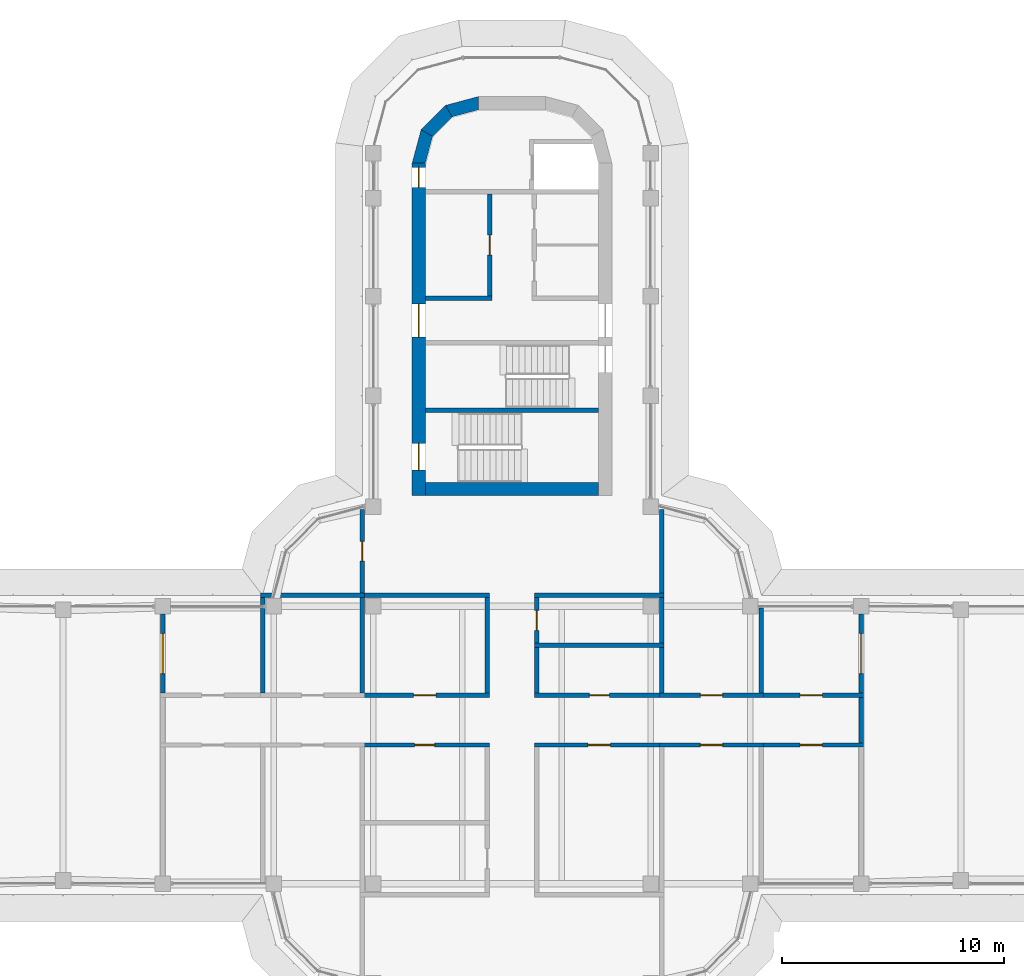
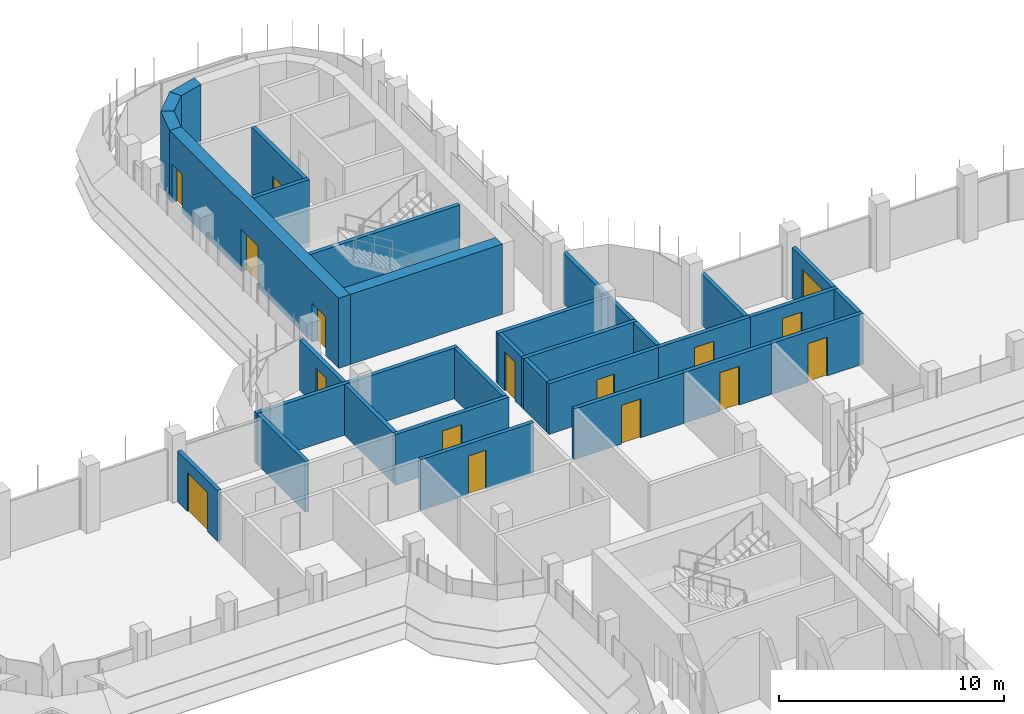
# One storey, part 14 of 18: 33 walls, 16 doors, 16 openings.
"""IFC4 building model written with IfcOpenShell, lengths in metres."""

from ifc_helpers import new_model, si_unit, direction, frame, frame_2d, origin, place, context, subcontext, project, spatial, polyline, rectangle, outline, extrude, material, layer, layer_set, type_object, element, fill, save


model = new_model("IFC4")

# Units and contexts
model_context = context("Model", 3, precision=1e-05, world=origin(), true_north=direction((0.0, 1.0)))
body_context = subcontext(model_context, "Body", "Model", "MODEL_VIEW")
ifc_project = project(units=[si_unit("LENGTHUNIT", "METRE"), si_unit("AREAUNIT", "SQUARE_METRE"), si_unit("VOLUMEUNIT", "CUBIC_METRE"), si_unit("PLANEANGLEUNIT", "RADIAN"), si_unit("MASSUNIT", "GRAM", prefix="KILO")], contexts=[model_context])

# Site, building, storey
site_placement = place(None, origin())
site = spatial("IfcSite", under=ifc_project, at=site_placement, CompositionType="ELEMENT")
building_placement = place(site_placement, origin())
building = spatial("IfcBuilding", under=site, at=building_placement, Name="Zarbagh Exchange Tower", CompositionType="ELEMENT")
storey_placement = place(building_placement, frame((0.0, 0.0, 206.800048828125)))
storey = spatial("IfcBuildingStorey", under=building, at=storey_placement, Name="L50", CompositionType="ELEMENT", Elevation=206.800048828125)

# Wall, opening, door
ifc_material_1 = material(Name="Fire-rated plasterboard partition")
ifc_layer_1 = layer(ifc_material_1, 0.199951171875)
ifc_layer_set_1 = layer_set([ifc_layer_1], Name="RATED PARTITION 200")
wall_type_1 = type_object("IfcWallType", Name="RATED PARTITION 200", PredefinedType="PARTITIONING", material=ifc_layer_set_1)
wall_1_placement = place(storey_placement, frame((1.02490234375, 2.25, 0.0), z_axis=(0.0, 0.0, 1.0), x_axis=(1.0, 0.0, 0.0)))
wall_1 = element("IfcWall", 1, at=wall_1_placement, inside=storey, type_object=wall_type_1, Name="Partition W-2201", PredefinedType="PARTITIONING", context=body_context, shape_type="SweptSolid", body=[
    extrude(rectangle(XDim=5.8251953125, YDim=0.199951171875, at=frame_2d((2.91259765625, 0.0))), origin(), (0.0, 0.0, 1.0), 2.75),
])
opening_1_placement = place(wall_1_placement, frame((2.46240234375, 0.0, 0.0)))
opening_1 = element("IfcOpeningElement", 2, at=opening_1_placement, cuts=wall_1, Name="Opening D-2205", PredefinedType="OPENING", context=body_context, shape_type="SweptSolid", body=[
    extrude(rectangle(XDim=0.89990234375, YDim=2.10009765625, at=frame_2d((0.449951171875, 1.050048828125))), frame((0.0, 0.10986328125, 0.0), z_axis=(0.0, -1.0, 0.0), x_axis=(1.0, 0.0, 0.0)), (0.0, 0.0, 1.0), 0.219970703125),
])
ifc_material_2 = material(Name="Timber door leaf", Category="wood")
door_type_1 = type_object("IfcDoorType", Name="DOOR 900 X 2100", OperationType="NOTDEFINED", PredefinedType="DOOR", material=ifc_material_2)
door_1_placement = place(opening_1_placement, origin())
door_1 = element("IfcDoor", 3, at=door_1_placement, inside=storey, type_object=door_type_1, Name="Door D-2205", OperationType="SINGLE_SWING_RIGHT", OverallHeight=2.10009765625, OverallWidth=0.89990234375, PredefinedType="DOOR", context=body_context, shape_type="SweptSolid", body=[
    extrude(rectangle(XDim=0.89990234375, YDim=2.10009765625, at=frame_2d((0.449951171875, 1.050048828125))), frame((0.0, 0.02490234375, 0.0), z_axis=(0.0, -1.0, 0.0), x_axis=(1.0, 0.0, 0.0)), (0.0, 0.0, 1.0), 0.050048828125),
])
fill(opening_1, door_1)

wall_2_placement = place(storey_placement, frame((6.64990234375, 2.25, 0.0), z_axis=(0.0, 0.0, 1.0), x_axis=(1.0, 0.0, 0.0)))
wall_2 = element("IfcWall", 4, at=wall_2_placement, inside=storey, type_object=wall_type_1, Name="Partition W-2202", PredefinedType="PARTITIONING", context=body_context, shape_type="SweptSolid", body=[
    extrude(rectangle(XDim=4.7001953125, YDim=0.199951171875, at=frame_2d((2.35009765625, 0.0))), origin(), (0.0, 0.0, 1.0), 2.75),
])
opening_2_placement = place(wall_2_placement, frame((1.85009765625, 0.0, 0.0)))
opening_2 = element("IfcOpeningElement", 5, at=opening_2_placement, cuts=wall_2, Name="Opening D-2207", PredefinedType="OPENING", context=body_context, shape_type="SweptSolid", body=[
    extrude(rectangle(XDim=1.0, YDim=2.10009765625, at=frame_2d((0.5, 1.050048828125))), frame((0.0, 0.10986328125, 0.0), z_axis=(0.0, -1.0, 0.0), x_axis=(1.0, 0.0, 0.0)), (0.0, 0.0, 1.0), 0.219970703125),
])
ifc_material_3 = material(Name="Steel door set", Category="steel")
door_type_2 = type_object("IfcDoorType", Name="FIRE DOOR 1000 X 2100 FD30S", OperationType="NOTDEFINED", PredefinedType="DOOR", material=ifc_material_3)
door_2_placement = place(opening_2_placement, origin())
door_2 = element("IfcDoor", 6, at=door_2_placement, inside=storey, type_object=door_type_2, Name="Door D-2207", OperationType="SINGLE_SWING_RIGHT", OverallHeight=2.10009765625, OverallWidth=1.0, PredefinedType="DOOR", context=body_context, shape_type="SweptSolid", body=[
    extrude(rectangle(XDim=1.0, YDim=2.10009765625, at=frame_2d((0.5, 1.050048828125))), frame((0.0, 0.02490234375, 0.0), z_axis=(0.0, -1.0, 0.0), x_axis=(1.0, 0.0, 0.0)), (0.0, 0.0, 1.0), 0.050048828125),
])
fill(opening_2, door_2)

wall_3_placement = place(storey_placement, frame((-6.85009765625, 2.25, 0.0), z_axis=(0.0, 0.0, 1.0), x_axis=(1.0, 0.0, 0.0)))
wall_3 = element("IfcWall", 7, at=wall_3_placement, inside=storey, type_object=wall_type_1, Name="Partition W-2203", PredefinedType="PARTITIONING", context=body_context, shape_type="SweptSolid", body=[
    extrude(rectangle(XDim=5.8251953125, YDim=0.199951171875, at=frame_2d((2.91259765625, 0.0))), origin(), (0.0, 0.0, 1.0), 2.75),
])
opening_3_placement = place(wall_3_placement, frame((2.41259765625, 0.0, 0.0)))
opening_3 = element("IfcOpeningElement", 8, at=opening_3_placement, cuts=wall_3, Name="Opening D-2208", PredefinedType="OPENING", context=body_context, shape_type="SweptSolid", body=[
    extrude(rectangle(XDim=1.0, YDim=2.10009765625, at=frame_2d((0.5, 1.050048828125))), frame((0.0, 0.10986328125, 0.0), z_axis=(0.0, -1.0, 0.0), x_axis=(1.0, 0.0, 0.0)), (0.0, 0.0, 1.0), 0.219970703125),
])
door_3_placement = place(opening_3_placement, origin())
door_3 = element("IfcDoor", 9, at=door_3_placement, inside=storey, type_object=door_type_2, Name="Door D-2208", OperationType="SINGLE_SWING_RIGHT", OverallHeight=2.10009765625, OverallWidth=1.0, PredefinedType="DOOR", context=body_context, shape_type="SweptSolid", body=[
    extrude(rectangle(XDim=1.0, YDim=2.10009765625, at=frame_2d((0.5, 1.050048828125))), frame((0.0, 0.02490234375, 0.0), z_axis=(0.0, -1.0, 0.0), x_axis=(1.0, 0.0, 0.0)), (0.0, 0.0, 1.0), 0.050048828125),
])
fill(opening_3, door_3)

wall_4_placement = place(storey_placement, frame((6.85009765625, 0.0, 0.0), z_axis=(0.0, 0.0, 1.0), x_axis=(-1.0, 0.0, 0.0)))
wall_4 = element("IfcWall", 10, at=wall_4_placement, inside=storey, type_object=wall_type_1, Name="Partition W-2205", PredefinedType="PARTITIONING", context=body_context, shape_type="SweptSolid", body=[
    extrude(rectangle(XDim=5.8251953125, YDim=0.199951171875, at=frame_2d((2.91259765625, 0.0))), origin(), (0.0, 0.0, 1.0), 2.75),
])
opening_4_placement = place(wall_4_placement, frame((2.41259765625, 0.0, 0.0)))
opening_4 = element("IfcOpeningElement", 11, at=opening_4_placement, cuts=wall_4, Name="Opening D-2211", PredefinedType="OPENING", context=body_context, shape_type="SweptSolid", body=[
    extrude(rectangle(XDim=1.0, YDim=2.10009765625, at=frame_2d((0.5, 1.050048828125))), frame((0.0, 0.10986328125, 0.0), z_axis=(0.0, -1.0, 0.0), x_axis=(1.0, 0.0, 0.0)), (0.0, 0.0, 1.0), 0.219970703125),
])
door_4_placement = place(opening_4_placement, origin())
door_4 = element("IfcDoor", 12, at=door_4_placement, inside=storey, type_object=door_type_2, Name="Door D-2211", OperationType="SINGLE_SWING_RIGHT", OverallHeight=2.10009765625, OverallWidth=1.0, PredefinedType="DOOR", context=body_context, shape_type="SweptSolid", body=[
    extrude(rectangle(XDim=1.0, YDim=2.10009765625, at=frame_2d((0.5, 1.050048828125))), frame((0.0, 0.02490234375, 0.0), z_axis=(0.0, -1.0, 0.0), x_axis=(1.0, 0.0, 0.0)), (0.0, 0.0, 1.0), 0.050048828125),
])
fill(opening_4, door_4)

wall_5_placement = place(storey_placement, frame((11.35009765625, 0.0, 0.0), z_axis=(0.0, 0.0, 1.0), x_axis=(-1.0, 0.0, 0.0)))
wall_5 = element("IfcWall", 13, at=wall_5_placement, inside=storey, type_object=wall_type_1, Name="Partition W-2206", PredefinedType="PARTITIONING", context=body_context, shape_type="SweptSolid", body=[
    extrude(rectangle(XDim=4.7001953125, YDim=0.199951171875, at=frame_2d((2.35009765625, 0.0))), origin(), (0.0, 0.0, 1.0), 2.75),
])
opening_5_placement = place(wall_5_placement, frame((1.85009765625, 0.0, 0.0)))
opening_5 = element("IfcOpeningElement", 14, at=opening_5_placement, cuts=wall_5, Name="Opening D-2212", PredefinedType="OPENING", context=body_context, shape_type="SweptSolid", body=[
    extrude(rectangle(XDim=1.0, YDim=2.10009765625, at=frame_2d((0.5, 1.050048828125))), frame((0.0, 0.10986328125, 0.0), z_axis=(0.0, -1.0, 0.0), x_axis=(1.0, 0.0, 0.0)), (0.0, 0.0, 1.0), 0.219970703125),
])
door_5_placement = place(opening_5_placement, origin())
door_5 = element("IfcDoor", 15, at=door_5_placement, inside=storey, type_object=door_type_2, Name="Door D-2212", OperationType="SINGLE_SWING_RIGHT", OverallHeight=2.10009765625, OverallWidth=1.0, PredefinedType="DOOR", context=body_context, shape_type="SweptSolid", body=[
    extrude(rectangle(XDim=1.0, YDim=2.10009765625, at=frame_2d((0.5, 1.050048828125))), frame((0.0, 0.02490234375, 0.0), z_axis=(0.0, -1.0, 0.0), x_axis=(1.0, 0.0, 0.0)), (0.0, 0.0, 1.0), 0.050048828125),
])
fill(opening_5, door_5)

wall_6_placement = place(storey_placement, frame((-1.02490234375, 0.0, 0.0), z_axis=(0.0, 0.0, 1.0), x_axis=(-1.0, 0.0, 0.0)))
wall_6 = element("IfcWall", 16, at=wall_6_placement, inside=storey, type_object=wall_type_1, Name="Partition W-2207", PredefinedType="PARTITIONING", context=body_context, shape_type="SweptSolid", body=[
    extrude(rectangle(XDim=5.8251953125, YDim=0.199951171875, at=frame_2d((2.91259765625, 0.0))), origin(), (0.0, 0.0, 1.0), 2.75),
])
opening_6_placement = place(wall_6_placement, frame((2.46240234375, 0.0, 0.0)))
opening_6 = element("IfcOpeningElement", 17, at=opening_6_placement, cuts=wall_6, Name="Opening D-2213", PredefinedType="OPENING", context=body_context, shape_type="SweptSolid", body=[
    extrude(rectangle(XDim=0.89990234375, YDim=2.10009765625, at=frame_2d((0.449951171875, 1.050048828125))), frame((0.0, 0.10986328125, 0.0), z_axis=(0.0, -1.0, 0.0), x_axis=(1.0, 0.0, 0.0)), (0.0, 0.0, 1.0), 0.219970703125),
])
door_6_placement = place(opening_6_placement, origin())
door_6 = element("IfcDoor", 18, at=door_6_placement, inside=storey, type_object=door_type_1, Name="Door D-2213", OperationType="SINGLE_SWING_RIGHT", OverallHeight=2.10009765625, OverallWidth=0.89990234375, PredefinedType="DOOR", context=body_context, shape_type="SweptSolid", body=[
    extrude(rectangle(XDim=0.89990234375, YDim=2.10009765625, at=frame_2d((0.449951171875, 1.050048828125))), frame((0.0, 0.02490234375, 0.0), z_axis=(0.0, -1.0, 0.0), x_axis=(1.0, 0.0, 0.0)), (0.0, 0.0, 1.0), 0.050048828125),
])
fill(opening_6, door_6)

wall_7_placement = place(storey_placement, frame((11.14990234375, 2.25, 0.0), z_axis=(0.0, 0.0, 1.0), x_axis=(1.0, 0.0, 0.0)))
wall_7 = element("IfcWall", 19, at=wall_7_placement, inside=storey, type_object=wall_type_1, Name="Partition W-2209", PredefinedType="PARTITIONING", context=body_context, shape_type="SweptSolid", body=[
    extrude(rectangle(XDim=4.7001953125, YDim=0.199951171875, at=frame_2d((2.35009765625, 0.0))), origin(), (0.0, 0.0, 1.0), 2.75),
])
opening_7_placement = place(wall_7_placement, frame((1.85009765625, 0.0, 0.0)))
opening_7 = element("IfcOpeningElement", 20, at=opening_7_placement, cuts=wall_7, Name="Opening D-2203", PredefinedType="OPENING", context=body_context, shape_type="SweptSolid", body=[
    extrude(rectangle(XDim=1.0, YDim=2.10009765625, at=frame_2d((0.5, 1.050048828125))), frame((0.0, 0.10986328125, 0.0), z_axis=(0.0, -1.0, 0.0), x_axis=(1.0, 0.0, 0.0)), (0.0, 0.0, 1.0), 0.219970703125),
])
door_7_placement = place(opening_7_placement, origin())
door_7 = element("IfcDoor", 21, at=door_7_placement, inside=storey, type_object=door_type_2, Name="Door D-2203", OperationType="SINGLE_SWING_RIGHT", OverallHeight=2.10009765625, OverallWidth=1.0, PredefinedType="DOOR", context=body_context, shape_type="SweptSolid", body=[
    extrude(rectangle(XDim=1.0, YDim=2.10009765625, at=frame_2d((0.5, 1.050048828125))), frame((0.0, 0.02490234375, 0.0), z_axis=(0.0, -1.0, 0.0), x_axis=(1.0, 0.0, 0.0)), (0.0, 0.0, 1.0), 0.050048828125),
])
fill(opening_7, door_7)

wall_8_placement = place(storey_placement, frame((15.85009765625, 0.0, 0.0), z_axis=(0.0, 0.0, 1.0), x_axis=(-1.0, 0.0, 0.0)))
wall_8 = element("IfcWall", 22, at=wall_8_placement, inside=storey, type_object=wall_type_1, Name="Partition W-2210", PredefinedType="PARTITIONING", context=body_context, shape_type="SweptSolid", body=[
    extrude(rectangle(XDim=4.7001953125, YDim=0.199951171875, at=frame_2d((2.35009765625, 0.0))), origin(), (0.0, 0.0, 1.0), 2.75),
])
opening_8_placement = place(wall_8_placement, frame((1.85009765625, 0.0, 0.0)))
opening_8 = element("IfcOpeningElement", 23, at=opening_8_placement, cuts=wall_8, Name="Opening D-2204", PredefinedType="OPENING", context=body_context, shape_type="SweptSolid", body=[
    extrude(rectangle(XDim=1.0, YDim=2.10009765625, at=frame_2d((0.5, 1.050048828125))), frame((0.0, 0.10986328125, 0.0), z_axis=(0.0, -1.0, 0.0), x_axis=(1.0, 0.0, 0.0)), (0.0, 0.0, 1.0), 0.219970703125),
])
door_8_placement = place(opening_8_placement, origin())
door_8 = element("IfcDoor", 24, at=door_8_placement, inside=storey, type_object=door_type_2, Name="Door D-2204", OperationType="SINGLE_SWING_RIGHT", OverallHeight=2.10009765625, OverallWidth=1.0, PredefinedType="DOOR", context=body_context, shape_type="SweptSolid", body=[
    extrude(rectangle(XDim=1.0, YDim=2.10009765625, at=frame_2d((0.5, 1.050048828125))), frame((0.0, 0.02490234375, 0.0), z_axis=(0.0, -1.0, 0.0), x_axis=(1.0, 0.0, 0.0)), (0.0, 0.0, 1.0), 0.050048828125),
])
fill(opening_8, door_8)

# Walls
for number, where, z_axis, x_axis, name in (
    (25, (15.75, 0.10009765625, 0.0), (0.0, 0.0, 1.0), (0.0, 1.0, 0.0), "Partition W-2211"),
    (26, (1.125, 2.35009765625, 0.0), (0.0, 0.0, 1.0), (0.0, 1.0, 0.0), "Partition W-2215"),
):
    element("IfcWall", number, at=place(storey_placement, frame(where, z_axis=z_axis, x_axis=x_axis)), inside=storey, type_object=wall_type_1, Name=name, PredefinedType="PARTITIONING", context=body_context, shape_type="SweptSolid", body=[
        extrude(rectangle(XDim=2.0498046875, YDim=0.199951171875, at=frame_2d((1.02490234375, 0.0))), origin(), (0.0, 0.0, 1.0), 2.75),
    ])

# Wall, opening, door
wall_9_placement = place(storey_placement, frame((1.125, 6.64990234375, 0.0), z_axis=(0.0, 0.0, 1.0), x_axis=(0.0, -1.0, 0.0)))
wall_9 = element("IfcWall", 27, at=wall_9_placement, inside=storey, type_object=wall_type_1, Name="Partition W-2216", PredefinedType="PARTITIONING", context=body_context, shape_type="SweptSolid", body=[
    extrude(rectangle(XDim=2.0498046875, YDim=0.199951171875, at=frame_2d((1.02490234375, 0.0))), origin(), (0.0, 0.0, 1.0), 2.75),
])
opening_9_placement = place(wall_9_placement, frame((0.574951171875, 0.0, 0.0)))
opening_9 = element("IfcOpeningElement", 28, at=opening_9_placement, cuts=wall_9, Name="Opening D-2206", PredefinedType="OPENING", context=body_context, shape_type="SweptSolid", body=[
    extrude(rectangle(XDim=0.89990234375, YDim=2.10009765625, at=frame_2d((0.449951171875, 1.050048828125))), frame((0.0, 0.10986328125, 0.0), z_axis=(0.0, -1.0, 0.0), x_axis=(1.0, 0.0, 0.0)), (0.0, 0.0, 1.0), 0.219970703125),
])
door_9_placement = place(opening_9_placement, origin())
door_9 = element("IfcDoor", 29, at=door_9_placement, inside=storey, type_object=door_type_1, Name="Door D-2206", OperationType="SINGLE_SWING_RIGHT", OverallHeight=2.10009765625, OverallWidth=0.89990234375, PredefinedType="DOOR", context=body_context, shape_type="SweptSolid", body=[
    extrude(rectangle(XDim=0.89990234375, YDim=2.10009765625, at=frame_2d((0.449951171875, 1.050048828125))), frame((0.0, 0.02490234375, 0.0), z_axis=(0.0, -1.0, 0.0), x_axis=(1.0, 0.0, 0.0)), (0.0, 0.0, 1.0), 0.050048828125),
])
fill(opening_9, door_9)

# Walls
wall_10_placement = place(storey_placement, frame((-1.125, 2.35009765625, 0.0), z_axis=(0.0, 0.0, 1.0), x_axis=(0.0, 1.0, 0.0)))
element("IfcWall", 30, at=wall_10_placement, inside=storey, type_object=wall_type_1, Name="Partition W-2217", PredefinedType="PARTITIONING", context=body_context, shape_type="SweptSolid", body=[
    extrude(rectangle(XDim=4.2998046875, YDim=0.199951171875, at=frame_2d((2.14990234375, 0.0))), origin(), (0.0, 0.0, 1.0), 2.75),
])
wall_11_placement = place(storey_placement, frame((1.02490234375, 6.75, 0.0), z_axis=(0.0, 0.0, 1.0), x_axis=(1.0, 0.0, 0.0)))
element("IfcWall", 31, at=wall_11_placement, inside=storey, type_object=wall_type_1, Name="Partition W-2221", PredefinedType="PARTITIONING", context=body_context, shape_type="SweptSolid", body=[
    extrude(rectangle(XDim=5.8251953125, YDim=0.199951171875, at=frame_2d((2.91259765625, 0.0))), origin(), (0.0, 0.0, 1.0), 2.75),
])
wall_12_placement = place(storey_placement, frame((6.75, 6.85009765625, 0.0), z_axis=(0.0, 0.0, 1.0), x_axis=(0.0, 1.0, 0.0)))
element("IfcWall", 32, at=wall_12_placement, inside=storey, type_object=wall_type_1, Name="Partition W-2222", PredefinedType="PARTITIONING", context=body_context, shape_type="SweptSolid", body=[
    extrude(rectangle(XDim=3.77978515625, YDim=0.199951171875, at=frame_2d((1.889892578125, 0.0))), origin(), (0.0, 0.0, 1.0), 2.75),
])
wall_13_placement = place(storey_placement, frame((-6.85009765625, 6.75, 0.0), z_axis=(0.0, 0.0, 1.0), x_axis=(1.0, 0.0, 0.0)))
element("IfcWall", 33, at=wall_13_placement, inside=storey, type_object=wall_type_1, Name="Partition W-2223", PredefinedType="PARTITIONING", context=body_context, shape_type="SweptSolid", body=[
    extrude(rectangle(XDim=5.8251953125, YDim=0.199951171875, at=frame_2d((2.91259765625, 0.0))), origin(), (0.0, 0.0, 1.0), 2.75),
])

# Wall, opening, door
wall_14_placement = place(storey_placement, frame((-6.75, 6.85009765625, 0.0), z_axis=(0.0, 0.0, 1.0), x_axis=(0.0, 1.0, 0.0)))
wall_14 = element("IfcWall", 34, at=wall_14_placement, inside=storey, type_object=wall_type_1, Name="Partition W-2224", PredefinedType="PARTITIONING", context=body_context, shape_type="SweptSolid", body=[
    extrude(rectangle(XDim=3.77978515625, YDim=0.199951171875, at=frame_2d((1.889892578125, 0.0))), origin(), (0.0, 0.0, 1.0), 2.75),
])
opening_10_placement = place(wall_14_placement, frame((1.43994140625, 0.0, 0.0)))
opening_10 = element("IfcOpeningElement", 35, at=opening_10_placement, cuts=wall_14, Name="Opening D-2210", PredefinedType="OPENING", context=body_context, shape_type="SweptSolid", body=[
    extrude(rectangle(XDim=0.89990234375, YDim=2.10009765625, at=frame_2d((0.449951171875, 1.050048828125))), frame((0.0, 0.10986328125, 0.0), z_axis=(0.0, -1.0, 0.0), x_axis=(1.0, 0.0, 0.0)), (0.0, 0.0, 1.0), 0.219970703125),
])
door_10_placement = place(opening_10_placement, origin())
door_10 = element("IfcDoor", 36, at=door_10_placement, inside=storey, type_object=door_type_1, Name="Door D-2210", OperationType="SINGLE_SWING_LEFT", OverallHeight=2.10009765625, OverallWidth=0.89990234375, PredefinedType="DOOR", context=body_context, shape_type="SweptSolid", body=[
    extrude(rectangle(XDim=0.89990234375, YDim=2.10009765625, at=frame_2d((0.449951171875, 1.050048828125))), frame((0.0, 0.02490234375, 0.0), z_axis=(0.0, -1.0, 0.0), x_axis=(1.0, 0.0, 0.0)), (0.0, 0.0, 1.0), 0.050048828125),
])
fill(opening_10, door_10)

# Walls
wall_15_placement = place(storey_placement, frame((1.02490234375, 4.5, 0.0), z_axis=(0.0, 0.0, 1.0), x_axis=(1.0, 0.0, 0.0)))
element("IfcWall", 37, at=wall_15_placement, inside=storey, type_object=wall_type_1, Name="Partition W-2229", PredefinedType="PARTITIONING", context=body_context, shape_type="SweptSolid", body=[
    extrude(rectangle(XDim=5.8251953125, YDim=0.199951171875, at=frame_2d((2.91259765625, 0.0))), origin(), (0.0, 0.0, 1.0), 2.75),
])
for number, where, z_axis, x_axis, name in (
    (38, (6.75, 2.35009765625, 0.0), (0.0, 0.0, 1.0), (0.0, 1.0, 0.0), "Partition W-2230"),
    (39, (6.75, 4.60009765625, 0.0), (0.0, 0.0, 1.0), (0.0, 1.0, 0.0), "Partition W-2231"),
):
    element("IfcWall", number, at=place(storey_placement, frame(where, z_axis=z_axis, x_axis=x_axis)), inside=storey, type_object=wall_type_1, Name=name, PredefinedType="PARTITIONING", context=body_context, shape_type="SweptSolid", body=[
        extrude(rectangle(XDim=2.0498046875, YDim=0.199951171875, at=frame_2d((1.02490234375, 0.0))), origin(), (0.0, 0.0, 1.0), 2.75),
    ])
wall_16_placement = place(storey_placement, frame((11.25, 2.35009765625, 0.0), z_axis=(0.0, 0.0, 1.0), x_axis=(0.0, 1.0, 0.0)))
element("IfcWall", 40, at=wall_16_placement, inside=storey, type_object=wall_type_1, Name="Partition W-2232", PredefinedType="PARTITIONING", context=body_context, shape_type="SweptSolid", body=[
    extrude(rectangle(XDim=3.81982421875, YDim=0.199951171875, at=frame_2d((1.909912109375, 0.0))), origin(), (0.0, 0.0, 1.0), 2.75),
])
wall_17_placement = place(storey_placement, frame((-6.75, 2.35009765625, 0.0), z_axis=(0.0, 0.0, 1.0), x_axis=(0.0, 1.0, 0.0)))
element("IfcWall", 41, at=wall_17_placement, inside=storey, type_object=wall_type_1, Name="Partition W-2233", PredefinedType="PARTITIONING", context=body_context, shape_type="SweptSolid", body=[
    extrude(rectangle(XDim=4.2998046875, YDim=0.199951171875, at=frame_2d((2.14990234375, 0.0))), origin(), (0.0, 0.0, 1.0), 2.75),
])
wall_18_placement = place(storey_placement, frame((-11.35009765625, 6.75, 0.0), z_axis=(0.0, 0.0, 1.0), x_axis=(1.0, 0.0, 0.0)))
element("IfcWall", 42, at=wall_18_placement, inside=storey, type_object=wall_type_1, Name="Partition W-2234", PredefinedType="PARTITIONING", context=body_context, shape_type="SweptSolid", body=[
    extrude(rectangle(XDim=4.7001953125, YDim=0.199951171875, at=frame_2d((2.35009765625, 0.0))), origin(), (0.0, 0.0, 1.0), 2.75),
])
wall_19_placement = place(storey_placement, frame((-11.25, 2.35009765625, 0.0), z_axis=(0.0, 0.0, 1.0), x_axis=(0.0, 1.0, 0.0)))
element("IfcWall", 43, at=wall_19_placement, inside=storey, type_object=wall_type_1, Name="Partition W-2235", PredefinedType="PARTITIONING", context=body_context, shape_type="SweptSolid", body=[
    extrude(rectangle(XDim=4.2998046875, YDim=0.199951171875, at=frame_2d((2.14990234375, 0.0))), origin(), (0.0, 0.0, 1.0), 2.75),
])

# Wall, opening, door
wall_20_placement = place(storey_placement, frame((15.75, 5.89990234375, 0.0), z_axis=(0.0, 0.0, 1.0), x_axis=(0.0, -1.0, 0.0)))
wall_20 = element("IfcWall", 44, at=wall_20_placement, inside=storey, type_object=wall_type_1, Name="Partition W-2242", PredefinedType="PARTITIONING", context=body_context, shape_type="SweptSolid", body=[
    extrude(rectangle(XDim=3.5498046875, YDim=0.199951171875, at=frame_2d((1.77490234375, 0.0))), origin(), (0.0, 0.0, 1.0), 2.75),
])
opening_11_placement = place(wall_20_placement, frame((0.875, 0.0, 0.0)))
opening_11 = element("IfcOpeningElement", 45, at=opening_11_placement, cuts=wall_20, Name="Opening D-2202", PredefinedType="OPENING", context=body_context, shape_type="SweptSolid", body=[
    extrude(rectangle(XDim=1.800048828125, YDim=2.10009765625, at=frame_2d((0.89990234375, 1.050048828125))), frame((0.0, 0.10986328125, 0.0), z_axis=(0.0, -1.0, 0.0), x_axis=(1.0, 0.0, 0.0)), (0.0, 0.0, 1.0), 0.219970703125),
])
door_type_3 = type_object("IfcDoorType", Name="FIRE DOUBLE DOOR 1800 X 2100 FD30S", OperationType="DOUBLE_DOOR_SINGLE_SWING", PredefinedType="DOOR", material=ifc_material_3)
door_11_placement = place(opening_11_placement, origin())
door_11 = element("IfcDoor", 46, at=door_11_placement, inside=storey, type_object=door_type_3, Name="Door D-2202", OperationType="DOUBLE_DOOR_SINGLE_SWING", OverallHeight=2.10009765625, OverallWidth=1.800048828125, PredefinedType="DOOR", context=body_context, shape_type="SweptSolid", body=[
    extrude(rectangle(XDim=1.800048828125, YDim=2.10009765625, at=frame_2d((0.89990234375, 1.050048828125))), frame((0.0, 0.02490234375, 0.0), z_axis=(0.0, -1.0, 0.0), x_axis=(1.0, 0.0, 0.0)), (0.0, 0.0, 1.0), 0.050048828125),
])
fill(opening_11, door_11)

wall_21_placement = place(storey_placement, frame((-15.75, 2.35009765625, 0.0), z_axis=(0.0, 0.0, 1.0), x_axis=(0.0, 1.0, 0.0)))
wall_21 = element("IfcWall", 47, at=wall_21_placement, inside=storey, type_object=wall_type_1, Name="Partition W-2245", PredefinedType="PARTITIONING", context=body_context, shape_type="SweptSolid", body=[
    extrude(rectangle(XDim=3.5498046875, YDim=0.199951171875, at=frame_2d((1.77490234375, 0.0))), origin(), (0.0, 0.0, 1.0), 2.75),
])
opening_12_placement = place(wall_21_placement, frame((0.875, 0.0, 0.0)))
opening_12 = element("IfcOpeningElement", 48, at=opening_12_placement, cuts=wall_21, Name="Opening D-2216", PredefinedType="OPENING", context=body_context, shape_type="SweptSolid", body=[
    extrude(rectangle(XDim=1.800048828125, YDim=2.10009765625, at=frame_2d((0.89990234375, 1.050048828125))), frame((0.0, 0.10986328125, 0.0), z_axis=(0.0, -1.0, 0.0), x_axis=(1.0, 0.0, 0.0)), (0.0, 0.0, 1.0), 0.219970703125),
])
door_12_placement = place(opening_12_placement, origin())
door_12 = element("IfcDoor", 49, at=door_12_placement, inside=storey, type_object=door_type_3, Name="Door D-2216", OperationType="DOUBLE_DOOR_SINGLE_SWING", OverallHeight=2.10009765625, OverallWidth=1.800048828125, PredefinedType="DOOR", context=body_context, shape_type="SweptSolid", body=[
    extrude(rectangle(XDim=1.800048828125, YDim=2.10009765625, at=frame_2d((0.89990234375, 1.050048828125))), frame((0.0, 0.02490234375, 0.0), z_axis=(0.0, -1.0, 0.0), x_axis=(1.0, 0.0, 0.0)), (0.0, 0.0, 1.0), 0.050048828125),
])
fill(opening_12, door_12)

# Walls
ifc_material_4 = material(Name="Concrete C50/60", Category="concrete")
ifc_layer_2 = layer(ifc_material_4, 0.60009765625)
ifc_layer_set_2 = layer_set([ifc_layer_2], Name="RC core corner wall 600 C50/60")
wall_type_2 = type_object("IfcWallType", Name="RC core corner wall 600 C50/60", PredefinedType="SHEAR", material=ifc_layer_set_2)
wall_22_placement = place(storey_placement, origin())
element("IfcWall", 50, at=wall_22_placement, inside=storey, type_object=wall_type_2, Name="CW8 core N corner W", PredefinedType="SHEAR", context=body_context, shape_type="SweptSolid", body=[
    extrude(outline(polyline([(-4.5, 26.25), (-4.09814453125, 27.75), (-3.57861328125, 27.449951171875), (-3.89990234375, 26.25), (-4.5, 26.25)])), origin(), (0.0, 0.0, 1.0), 3.800048828125),
])
wall_23_placement = place(storey_placement, origin())
element("IfcWall", 51, at=wall_23_placement, inside=storey, type_object=wall_type_2, Name="CW8 core N corner W", PredefinedType="SHEAR", context=body_context, shape_type="SweptSolid", body=[
    extrude(outline(polyline([(-4.09814453125, 27.75), (-3.0, 28.84814453125), (-2.699951171875, 28.32861328125), (-3.57861328125, 27.449951171875), (-4.09814453125, 27.75)])), origin(), (0.0, 0.0, 1.0), 3.800048828125),
])
wall_24_placement = place(storey_placement, origin())
element("IfcWall", 52, at=wall_24_placement, inside=storey, type_object=wall_type_2, Name="CW8 core N corner W", PredefinedType="SHEAR", context=body_context, shape_type="SweptSolid", body=[
    extrude(outline(polyline([(-3.0, 28.84814453125), (-1.5, 29.25), (-1.5, 28.64990234375), (-2.699951171875, 28.32861328125), (-3.0, 28.84814453125)])), origin(), (0.0, 0.0, 1.0), 3.800048828125),
])

# Wall, openings, doors
ifc_layer_3 = layer(ifc_material_4, 0.60009765625)
ifc_layer_set_3 = layer_set([ifc_layer_3], Name="RC core wall 600 C50/60")
wall_type_3 = type_object("IfcWallType", Name="RC core wall 600 C50/60", PredefinedType="SHEAR", material=ifc_layer_set_3)
wall_25_placement = place(storey_placement, frame((-4.199951171875, 11.25, 0.0), z_axis=(0.0, 0.0, 1.0), x_axis=(0.0, 1.0, 0.0)))
wall_25 = element("IfcWall", 53, at=wall_25_placement, inside=storey, type_object=wall_type_3, Name="CW7 core N W", PredefinedType="SHEAR", context=body_context, shape_type="SweptSolid", body=[
    extrude(rectangle(XDim=15.0, YDim=0.60009765625, at=frame_2d((7.5, 0.0))), origin(), (0.0, 0.0, 1.0), 3.800048828125),
])
opening_13_placement = place(wall_25_placement, frame((7.14990234375, 0.0, 0.0)))
opening_13 = element("IfcOpeningElement", 54, at=opening_13_placement, cuts=wall_25, Name="Opening CD1-1500", PredefinedType="OPENING", context=body_context, shape_type="SweptSolid", body=[
    extrude(rectangle(XDim=1.5, YDim=2.300048828125, at=frame_2d((0.75, 1.14990234375))), frame((0.0, 0.31005859375, 0.0), z_axis=(0.0, -1.0, 0.0), x_axis=(1.0, 0.0, 0.0)), (0.0, 0.0, 1.0), 0.6201171875),
])
opening_14_placement = place(wall_25_placement, frame((13.89990234375, 0.0, 0.0)))
opening_14 = element("IfcOpeningElement", 55, at=opening_14_placement, cuts=wall_25, Name="Opening CD2-900", PredefinedType="OPENING", context=body_context, shape_type="SweptSolid", body=[
    extrude(rectangle(XDim=0.89990234375, YDim=2.10009765625, at=frame_2d((0.449951171875, 1.050048828125))), frame((0.0, 0.31005859375, 0.0), z_axis=(0.0, -1.0, 0.0), x_axis=(1.0, 0.0, 0.0)), (0.0, 0.0, 1.0), 0.6201171875),
])
opening_15_placement = place(wall_25_placement, frame((1.14990234375, 0.0, 0.0)))
opening_15 = element("IfcOpeningElement", 56, at=opening_15_placement, cuts=wall_25, Name="Opening SD1-1200", PredefinedType="OPENING", context=body_context, shape_type="SweptSolid", body=[
    extrude(rectangle(XDim=1.199951171875, YDim=2.10009765625, at=frame_2d((0.60009765625, 1.050048828125))), frame((0.0, 0.31005859375, 0.0), z_axis=(0.0, -1.0, 0.0), x_axis=(1.0, 0.0, 0.0)), (0.0, 0.0, 1.0), 0.6201171875),
])
ifc_material_5 = material(Name="Steel", Category="steel")
door_type_4 = type_object("IfcDoorType", Name="Exit stair door 1200 x 2100", OperationType="NOTDEFINED", PredefinedType="DOOR", material=ifc_material_5)
door_13_placement = place(opening_15_placement, origin())
door_13 = element("IfcDoor", 57, at=door_13_placement, inside=storey, type_object=door_type_4, Name="North core stair door ST2", OperationType="SINGLE_SWING_LEFT", OverallHeight=2.10009765625, OverallWidth=1.199951171875, PredefinedType="DOOR", context=body_context, shape_type="SweptSolid", body=[
    extrude(rectangle(XDim=1.199951171875, YDim=2.10009765625, at=frame_2d((0.60009765625, 1.050048828125))), frame((0.0, 0.02490234375, 0.0), z_axis=(0.0, -1.0, 0.0), x_axis=(1.0, 0.0, 0.0)), (0.0, 0.0, 1.0), 0.050048828125),
])
fill(opening_15, door_13)
door_type_5 = type_object("IfcDoorType", Name="Firefighting lobby door 900 x 2100", OperationType="NOTDEFINED", PredefinedType="DOOR", material=ifc_material_5)
door_14_placement = place(opening_14_placement, origin())
door_14 = element("IfcDoor", 58, at=door_14_placement, inside=storey, type_object=door_type_5, Name="North core firefighting lobby door FF-W", OperationType="SINGLE_SWING_RIGHT", OverallHeight=2.10009765625, OverallWidth=0.89990234375, PredefinedType="DOOR", context=body_context, shape_type="SweptSolid", body=[
    extrude(rectangle(XDim=0.89990234375, YDim=2.10009765625, at=frame_2d((0.449951171875, 1.050048828125))), frame((0.0, 0.02490234375, 0.0), z_axis=(0.0, -1.0, 0.0), x_axis=(1.0, 0.0, 0.0)), (0.0, 0.0, 1.0), 0.050048828125),
])
fill(opening_14, door_14)
door_type_6 = type_object("IfcDoorType", Name="Lift lobby double door 1500 x 2300", OperationType="NOTDEFINED", PredefinedType="DOOR", material=ifc_material_5)
door_15_placement = place(opening_13_placement, origin())
door_15 = element("IfcDoor", 59, at=door_15_placement, inside=storey, type_object=door_type_6, Name="North core lift lobby door LOBBY-W", OperationType="DOUBLE_DOOR_SINGLE_SWING", OverallHeight=2.300048828125, OverallWidth=1.5, PredefinedType="DOOR", context=body_context, shape_type="SweptSolid", body=[
    extrude(rectangle(XDim=1.5, YDim=2.300048828125, at=frame_2d((0.75, 1.14990234375))), frame((0.0, 0.02490234375, 0.0), z_axis=(0.0, -1.0, 0.0), x_axis=(1.0, 0.0, 0.0)), (0.0, 0.0, 1.0), 0.050048828125),
])
fill(opening_13, door_15)

# Walls
wall_26_placement = place(storey_placement, frame((-3.89990234375, 11.550048828125, 0.0), z_axis=(0.0, 0.0, 1.0), x_axis=(1.0, 0.0, 0.0)))
element("IfcWall", 60, at=wall_26_placement, inside=storey, type_object=wall_type_3, Name="CW7 core N inner end", PredefinedType="SHEAR", context=body_context, shape_type="SweptSolid", body=[
    extrude(rectangle(XDim=7.7998046875, YDim=0.60009765625, at=frame_2d((3.89990234375, 0.0))), origin(), (0.0, 0.0, 1.0), 3.800048828125),
])
ifc_material_6 = material(Name="Dense blockwork", Category="masonry")
ifc_layer_4 = layer(ifc_material_6, 0.199951171875)
ifc_layer_set_4 = layer_set([ifc_layer_4], Name="Shaft wall 200 mm blockwork")
wall_type_4 = type_object("IfcWallType", Name="Shaft wall 200 mm blockwork", PredefinedType="PARTITIONING", material=ifc_layer_set_4)
wall_27_placement = place(storey_placement, frame((-3.89990234375, 20.14990234375, 0.0), z_axis=(0.0, 0.0, 1.0), x_axis=(1.0, 0.0, 0.0)))
element("IfcWall", 61, at=wall_27_placement, inside=storey, type_object=wall_type_4, Name="North core shaft wall AB-W", PredefinedType="PARTITIONING", context=body_context, shape_type="SweptSolid", body=[
    extrude(rectangle(XDim=3.0, YDim=0.199951171875, at=frame_2d((1.5, 0.0))), origin(), (0.0, 0.0, 1.0), 3.64990234375),
])

# Wall, opening, door
wall_28_placement = place(storey_placement, frame((-1.0, 24.85009765625, 0.0), z_axis=(0.0, 0.0, 1.0), x_axis=(0.0, -1.0, 0.0)))
wall_28 = element("IfcWall", 62, at=wall_28_placement, inside=storey, type_object=wall_type_4, Name="North core shaft wall LW-W", PredefinedType="PARTITIONING", context=body_context, shape_type="SweptSolid", body=[
    extrude(rectangle(XDim=4.60009765625, YDim=0.199951171875, at=frame_2d((2.300048828125, 0.0))), origin(), (0.0, 0.0, 1.0), 3.64990234375),
])
opening_16_placement = place(wall_28_placement, frame((1.85009765625, 0.0, 0.0)))
opening_16 = element("IfcOpeningElement", 63, at=opening_16_placement, cuts=wall_28, Name="Opening CD3-900", PredefinedType="OPENING", context=body_context, shape_type="SweptSolid", body=[
    extrude(rectangle(XDim=0.89990234375, YDim=2.10009765625, at=frame_2d((0.449951171875, 1.050048828125))), frame((0.0, 0.10986328125, 0.0), z_axis=(0.0, -1.0, 0.0), x_axis=(1.0, 0.0, 0.0)), (0.0, 0.0, 1.0), 0.219970703125),
])
door_type_7 = type_object("IfcDoorType", Name="Core room door 900 x 2100", OperationType="NOTDEFINED", PredefinedType="DOOR", material=ifc_material_5)
door_16_placement = place(opening_16_placement, origin())
door_16 = element("IfcDoor", 64, at=door_16_placement, inside=storey, type_object=door_type_7, Name="North core Riser store door RD-W-0", OperationType="SINGLE_SWING_LEFT", OverallHeight=2.10009765625, OverallWidth=0.89990234375, PredefinedType="DOOR", context=body_context, shape_type="SweptSolid", body=[
    extrude(rectangle(XDim=0.89990234375, YDim=2.10009765625, at=frame_2d((0.449951171875, 1.050048828125))), frame((0.0, 0.02490234375, 0.0), z_axis=(0.0, -1.0, 0.0), x_axis=(1.0, 0.0, 0.0)), (0.0, 0.0, 1.0), 0.050048828125),
])
fill(opening_16, door_16)

# Wall
ifc_material_7 = material(Name="Concrete C40/50", Category="concrete")
ifc_layer_5 = layer(ifc_material_7, 0.199951171875)
ifc_layer_set_5 = layer_set([ifc_layer_5], Name="Stair enclosure wall 200 mm RC C40/50")
wall_type_5 = type_object("IfcWallType", Name="Stair enclosure wall 200 mm RC C40/50", PredefinedType="SHEAR", material=ifc_layer_set_5)
wall_29_placement = place(storey_placement, frame((-3.89990234375, 15.10009765625, 0.0), z_axis=(0.0, 0.0, 1.0), x_axis=(1.0, 0.0, 0.0)))
element("IfcWall", 65, at=wall_29_placement, inside=storey, type_object=wall_type_5, Name="North core stair wall ST12", PredefinedType="SHEAR", context=body_context, shape_type="SweptSolid", body=[
    extrude(rectangle(XDim=7.7998046875, YDim=0.199951171875, at=frame_2d((3.89990234375, 0.0))), origin(), (0.0, 0.0, 1.0), 3.64990234375),
])

save(model, "model.ifc")
